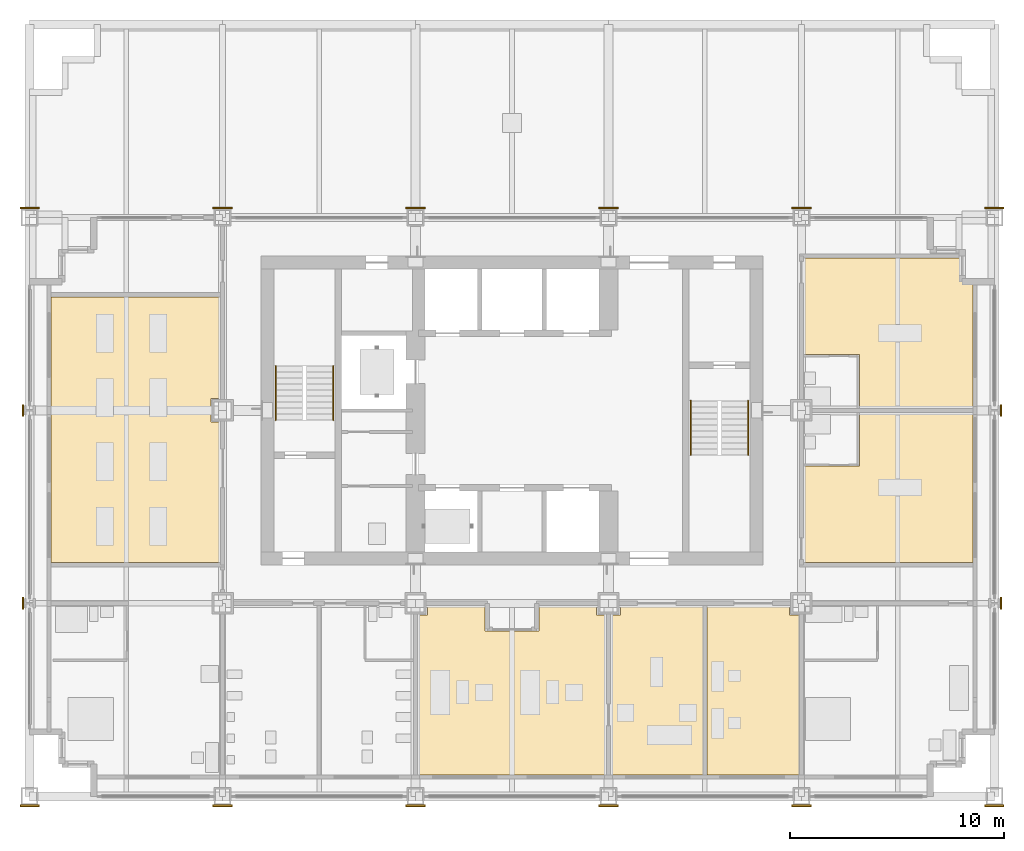
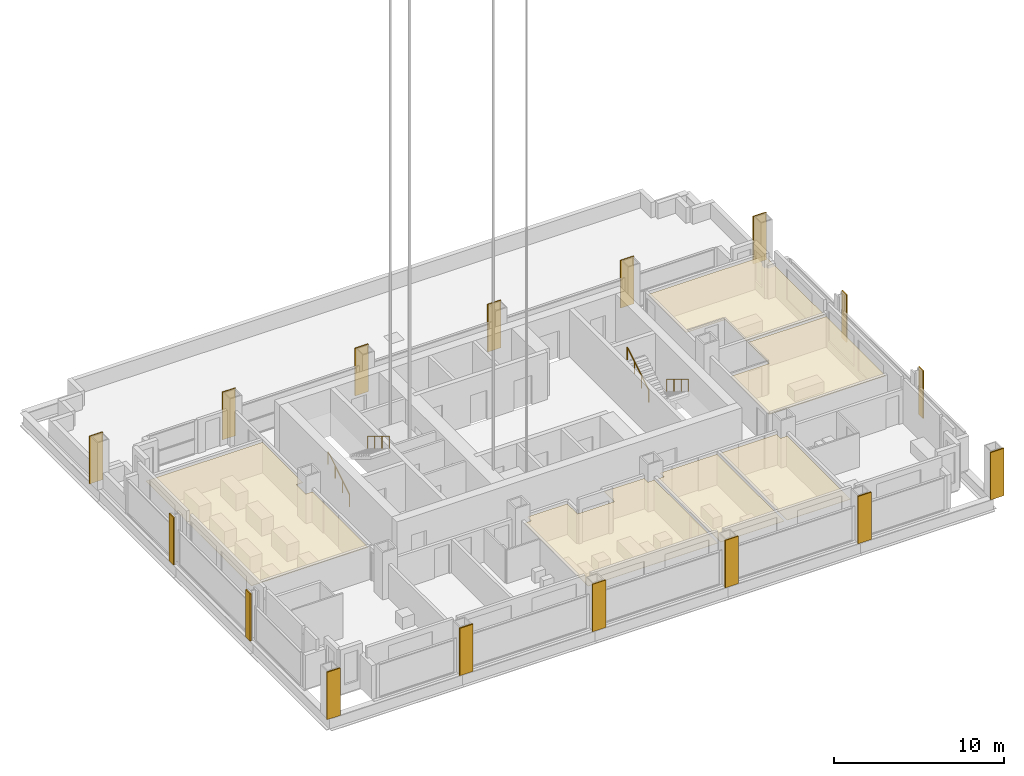
# One storey, part 12 of 15: 22 coverings, 4 railings.
"""IFC4 building model written with IfcOpenShell, lengths in metres."""

from ifc_helpers import new_model, si_unit, direction, frame, origin, origin_2d, place, context, subcontext, project, spatial, polyline, rectangle, circle, outline, extrude, material, layer, layer_set, type_object, element, save


model = new_model("IFC4")

# Units and contexts
model_context = context("Model", 3, precision=1e-05, world=origin(), true_north=direction((0.0, 1.0)))
body_context = subcontext(model_context, "Body", "Model", "MODEL_VIEW")
ifc_project = project(units=[si_unit("LENGTHUNIT", "METRE"), si_unit("AREAUNIT", "SQUARE_METRE"), si_unit("VOLUMEUNIT", "CUBIC_METRE"), si_unit("PLANEANGLEUNIT", "RADIAN"), si_unit("MASSUNIT", "GRAM", prefix="KILO")], contexts=[model_context])

# Site, building, storey
site_placement = place(None, origin())
site = spatial("IfcSite", under=ifc_project, at=site_placement, CompositionType="ELEMENT")
building_placement = place(site_placement, origin())
building = spatial("IfcBuilding", under=site, at=building_placement, Name="Loomwork Tower", CompositionType="ELEMENT")
storey_placement = place(building_placement, frame((0.0, 0.0, 160.39990234375)))
storey = spatial("IfcBuildingStorey", under=building, at=storey_placement, Name="L43", CompositionType="ELEMENT", Elevation=160.39990234375)

# Railings
ifc_material_1 = material(Name="Stainless steel handrail", Category="steel")
railing_type = type_object("IfcRailingType", Name="Handrail 900", PredefinedType="HANDRAIL", material=ifc_material_1)
railing_1_placement = place(storey_placement, frame((11.485107421875, 17.550048828125, 0.170166015625)))
element("IfcRailing", 1, at=railing_1_placement, inside=storey, type_object=railing_type, Name="Stair A handrail flight 1 L43", PredefinedType="HANDRAIL", context=body_context, shape_type="SweptSolid", body=[
    extrude(circle(Radius=0.02392578125, at=origin_2d()), frame((0.0, 0.0, 0.8759765625), z_axis=(0.0, 0.85478489116, 0.518982456201), x_axis=(-1.0, 0.0, 0.0)), (0.0, 0.0, 1.0), 2.9482421875),
    extrude(circle(Radius=0.02099609375, at=origin_2d()), origin(), (0.0, 0.0, 1.0), 0.851806640625),
    extrude(circle(Radius=0.02099609375, at=origin_2d()), frame((0.0, 0.840087890625, 0.510009765625)), (0.0, 0.0, 1.0), 0.851806640625),
    extrude(circle(Radius=0.02099609375, at=origin_2d()), frame((0.0, 1.679931640625, 1.02001953125)), (0.0, 0.0, 1.0), 0.851806640625),
    extrude(circle(Radius=0.02099609375, at=origin_2d()), frame((0.0, 2.52001953125, 1.530029296875)), (0.0, 0.0, 1.0), 0.851806640625),
])
for number, where, name in (
    (2, (14.1650390625, 20.070068359375, 1.8701171875), "Stair A handrail flight 2 L43"),
    (3, (33.514892578125, 18.449951171875, 0.170166015625), "Stair B handrail flight 1 L43"),
):
    element("IfcRailing", number, at=place(storey_placement, frame(where)), inside=storey, type_object=railing_type, Name=name, PredefinedType="HANDRAIL", context=body_context, shape_type="SweptSolid", body=[
        extrude(circle(Radius=0.02392578125, at=origin_2d()), frame((0.0, 0.0, 0.8759765625), z_axis=(0.0, -0.85478489116, 0.518982456201), x_axis=(1.0, 0.0, 0.0)), (0.0, 0.0, 1.0), 2.9482421875),
        extrude(circle(Radius=0.02099609375, at=origin_2d()), origin(), (0.0, 0.0, 1.0), 0.851806640625),
        extrude(circle(Radius=0.02099609375, at=origin_2d()), frame((0.0, -0.840087890625, 0.510009765625)), (0.0, 0.0, 1.0), 0.851806640625),
        extrude(circle(Radius=0.02099609375, at=origin_2d()), frame((0.0, -1.679931640625, 1.02001953125)), (0.0, 0.0, 1.0), 0.851806640625),
        extrude(circle(Radius=0.02099609375, at=origin_2d()), frame((0.0, -2.52001953125, 1.530029296875)), (0.0, 0.0, 1.0), 0.851806640625),
    ])
railing_2_placement = place(storey_placement, frame((30.8349609375, 15.929931640625, 1.8701171875)))
element("IfcRailing", 4, at=railing_2_placement, inside=storey, type_object=railing_type, Name="Stair B handrail flight 2 L43", PredefinedType="HANDRAIL", context=body_context, shape_type="SweptSolid", body=[
    extrude(circle(Radius=0.02392578125, at=origin_2d()), frame((0.0, 0.0, 0.8759765625), z_axis=(0.0, 0.85478489116, 0.518982456201), x_axis=(-1.0, 0.0, 0.0)), (0.0, 0.0, 1.0), 2.9482421875),
    extrude(circle(Radius=0.02099609375, at=origin_2d()), origin(), (0.0, 0.0, 1.0), 0.851806640625),
    extrude(circle(Radius=0.02099609375, at=origin_2d()), frame((0.0, 0.840087890625, 0.510009765625)), (0.0, 0.0, 1.0), 0.851806640625),
    extrude(circle(Radius=0.02099609375, at=origin_2d()), frame((0.0, 1.679931640625, 1.02001953125)), (0.0, 0.0, 1.0), 0.851806640625),
    extrude(circle(Radius=0.02099609375, at=origin_2d()), frame((0.0, 2.52001953125, 1.530029296875)), (0.0, 0.0, 1.0), 0.851806640625),
])

# Coverings
ifc_material_2 = material(Name="Limestone", Category="masonry")
ifc_layer_1 = layer(ifc_material_2, 0.080078125)
ifc_layer_set_1 = layer_set([ifc_layer_1], Name="Limestone pier facing 80")
covering_type_1 = type_object("IfcCoveringType", Name="Limestone pier facing 80", PredefinedType="CLADDING", material=ifc_layer_set_1)
covering_1_placement = place(storey_placement, frame((0.0, -0.43994140625, 0.000244140625), z_axis=(0.0, 0.0, 1.0), x_axis=(1.0, 0.0, 0.0)))
element("IfcCovering", 5, at=covering_1_placement, inside=storey, type_object=covering_type_1, Name="Pier facing D/2 L43", PredefinedType="CLADDING", context=body_context, shape_type="SweptSolid", body=[
    extrude(rectangle(XDim=0.89990234375, YDim=0.080078125, at=origin_2d()), origin(), (0.0, 0.0, 1.0), 3.39990234375),
])
for number, where, z_axis, x_axis, name in (
    (6, (-0.314208984375, 9.0, 0.000244140625), (0.0, 0.0, 1.0), (1.0, 0.0, 0.0), "Pier facing E/2 L43"),
    (7, (-0.314208984375, 18.0, 0.000244140625), (0.0, 0.0, 1.0), (1.0, 0.0, 0.0), "Pier facing F/2 L43"),
):
    element("IfcCovering", number, at=place(storey_placement, frame(where, z_axis=z_axis, x_axis=x_axis)), inside=storey, type_object=covering_type_1, Name=name, PredefinedType="CLADDING", context=body_context, shape_type="SweptSolid", body=[
        extrude(rectangle(XDim=0.080078125, YDim=0.549560546875, at=origin_2d()), origin(), (0.0, 0.0, 1.0), 3.39990234375),
    ])
for number, where, z_axis, x_axis, name in (
    (8, (0.0, 27.43994140625, 0.000244140625), (0.0, 0.0, 1.0), (1.0, 0.0, 0.0), "Pier facing G/2 L43"),
    (9, (9.0, -0.43994140625, 0.000244140625), (0.0, 0.0, 1.0), (1.0, 0.0, 0.0), "Pier facing D/3 L43"),
    (10, (9.0, 27.43994140625, 0.000244140625), (0.0, 0.0, 1.0), (1.0, 0.0, 0.0), "Pier facing G/3 L43"),
    (11, (18.0, -0.43994140625, 0.000244140625), (0.0, 0.0, 1.0), (1.0, 0.0, 0.0), "Pier facing D/4 L43"),
    (12, (18.0, 27.43994140625, 0.000244140625), (0.0, 0.0, 1.0), (1.0, 0.0, 0.0), "Pier facing G/4 L43"),
    (13, (27.0, -0.43994140625, 0.000244140625), (0.0, 0.0, 1.0), (1.0, 0.0, 0.0), "Pier facing D/5 L43"),
    (14, (27.0, 27.43994140625, 0.000244140625), (0.0, 0.0, 1.0), (1.0, 0.0, 0.0), "Pier facing G/5 L43"),
    (15, (36.0, -0.43994140625, 0.000244140625), (0.0, 0.0, 1.0), (1.0, 0.0, 0.0), "Pier facing D/6 L43"),
    (16, (36.0, 27.43994140625, 0.000244140625), (0.0, 0.0, 1.0), (1.0, 0.0, 0.0), "Pier facing G/6 L43"),
    (17, (45.0, -0.43994140625, 0.000244140625), (0.0, 0.0, 1.0), (1.0, 0.0, 0.0), "Pier facing D/7 L43"),
):
    element("IfcCovering", number, at=place(storey_placement, frame(where, z_axis=z_axis, x_axis=x_axis)), inside=storey, type_object=covering_type_1, Name=name, PredefinedType="CLADDING", context=body_context, shape_type="SweptSolid", body=[
        extrude(rectangle(XDim=0.89990234375, YDim=0.080078125, at=origin_2d()), origin(), (0.0, 0.0, 1.0), 3.39990234375),
    ])
for number, where, z_axis, x_axis, name in (
    (18, (45.314208984375, 9.0, 0.000244140625), (0.0, 0.0, 1.0), (1.0, 0.0, 0.0), "Pier facing E/7 L43"),
    (19, (45.314208984375, 18.0, 0.000244140625), (0.0, 0.0, 1.0), (1.0, 0.0, 0.0), "Pier facing F/7 L43"),
):
    element("IfcCovering", number, at=place(storey_placement, frame(where, z_axis=z_axis, x_axis=x_axis)), inside=storey, type_object=covering_type_1, Name=name, PredefinedType="CLADDING", context=body_context, shape_type="SweptSolid", body=[
        extrude(rectangle(XDim=0.080078125, YDim=0.549560546875, at=origin_2d()), origin(), (0.0, 0.0, 1.0), 3.39990234375),
    ])
covering_2_placement = place(storey_placement, frame((45.0, 27.43994140625, 0.000244140625), z_axis=(0.0, 0.0, 1.0), x_axis=(1.0, 0.0, 0.0)))
element("IfcCovering", 20, at=covering_2_placement, inside=storey, type_object=covering_type_1, Name="Pier facing G/7 L43", PredefinedType="CLADDING", context=body_context, shape_type="SweptSolid", body=[
    extrude(rectangle(XDim=0.89990234375, YDim=0.080078125, at=origin_2d()), origin(), (0.0, 0.0, 1.0), 3.39990234375),
])
ifc_material_3 = material(Name="Mineral fibre acoustic tile on suspension grid")
ifc_layer_2 = layer(ifc_material_3, 0.02490234375)
ifc_layer_set_2 = layer_set([ifc_layer_2], Name="Suspended acoustic ceiling")
covering_type_2 = type_object("IfcCoveringType", Name="Suspended acoustic ceiling", PredefinedType="CEILING", material=ifc_layer_set_2)
covering_3_placement = place(storey_placement, frame((0.0, 0.0, 2.175048828125)))
element("IfcCovering", 21, at=covering_3_placement, inside=storey, type_object=covering_type_2, Name="Ceiling Sky lounge L43", PredefinedType="CEILING", context=body_context, shape_type="SweptSolid", body=[
    extrude(outline(polyline([(21.25, 7.699951171875), (23.75, 7.699951171875), (23.75, 8.89990234375), (26.449951171875, 8.89990234375), (26.449951171875, 8.449951171875), (26.89990234375, 8.449951171875), (26.89990234375, 1.0), (18.10009765625, 1.0), (18.10009765625, 8.449951171875), (18.550048828125, 8.449951171875), (18.550048828125, 8.89990234375), (21.25, 8.89990234375), (21.25, 7.699951171875)])), origin(), (0.0, 0.0, 1.0), 0.025146484375),
])
covering_4_placement = place(storey_placement, frame((0.0, 0.0, 2.175048828125)))
element("IfcCovering", 22, at=covering_4_placement, inside=storey, type_object=covering_type_2, Name="Ceiling Sky lobby L43", PredefinedType="CEILING", context=body_context, shape_type="SweptSolid", body=[
    extrude(outline(polyline([(31.39990234375, 8.89990234375), (31.39990234375, 1.0), (27.10009765625, 1.0), (27.10009765625, 8.449951171875), (27.550048828125, 8.449951171875), (27.550048828125, 8.89990234375), (31.39990234375, 8.89990234375)])), origin(), (0.0, 0.0, 1.0), 0.025146484375),
])
covering_5_placement = place(storey_placement, frame((0.0, 0.0, 2.175048828125)))
element("IfcCovering", 23, at=covering_5_placement, inside=storey, type_object=covering_type_2, Name="Ceiling Business centre L43", PredefinedType="CEILING", context=body_context, shape_type="SweptSolid", body=[
    extrude(outline(polyline([(35.449951171875, 8.89990234375), (35.449951171875, 8.449951171875), (35.89990234375, 8.449951171875), (35.89990234375, 1.0), (31.60009765625, 1.0), (31.60009765625, 8.89990234375), (35.449951171875, 8.89990234375)])), origin(), (0.0, 0.0, 1.0), 0.025146484375),
])
covering_6_placement = place(storey_placement, frame((0.0, 0.0, 2.175048828125)))
element("IfcCovering", 24, at=covering_6_placement, inside=storey, type_object=covering_type_2, Name="Ceiling Fitness room L43", PredefinedType="CEILING", context=body_context, shape_type="SweptSolid", body=[
    extrude(outline(polyline([(8.89990234375, 23.300048828125), (8.89990234375, 18.550048828125), (8.449951171875, 18.550048828125), (8.449951171875, 17.449951171875), (8.89990234375, 17.449951171875), (8.89990234375, 10.89990234375), (1.0, 10.89990234375), (1.0, 23.300048828125), (8.89990234375, 23.300048828125)])), origin(), (0.0, 0.0, 1.0), 0.025146484375),
])
covering_7_placement = place(storey_placement, frame((0.0, 0.0, 2.175048828125)))
element("IfcCovering", 25, at=covering_7_placement, inside=storey, type_object=covering_type_2, Name="Ceiling Spa treatment room L43", PredefinedType="CEILING", context=body_context, shape_type="SweptSolid", body=[
    extrude(outline(polyline([(36.10009765625, 15.39990234375), (38.699951171875, 15.39990234375), (38.699951171875, 17.89990234375), (44.0, 17.89990234375), (44.0, 10.89990234375), (36.10009765625, 10.89990234375), (36.10009765625, 15.39990234375)])), origin(), (0.0, 0.0, 1.0), 0.025146484375),
])
covering_8_placement = place(storey_placement, frame((0.0, 0.0, 2.175048828125)))
element("IfcCovering", 26, at=covering_8_placement, inside=storey, type_object=covering_type_2, Name="Ceiling Spa treatment room L43", PredefinedType="CEILING", context=body_context, shape_type="SweptSolid", body=[
    extrude(outline(polyline([(38.699951171875, 18.10009765625), (38.699951171875, 20.60009765625), (36.10009765625, 20.60009765625), (36.10009765625, 25.10009765625), (44.0, 25.10009765625), (44.0, 18.10009765625), (38.699951171875, 18.10009765625)])), origin(), (0.0, 0.0, 1.0), 0.025146484375),
])

save(model, "model.ifc")
